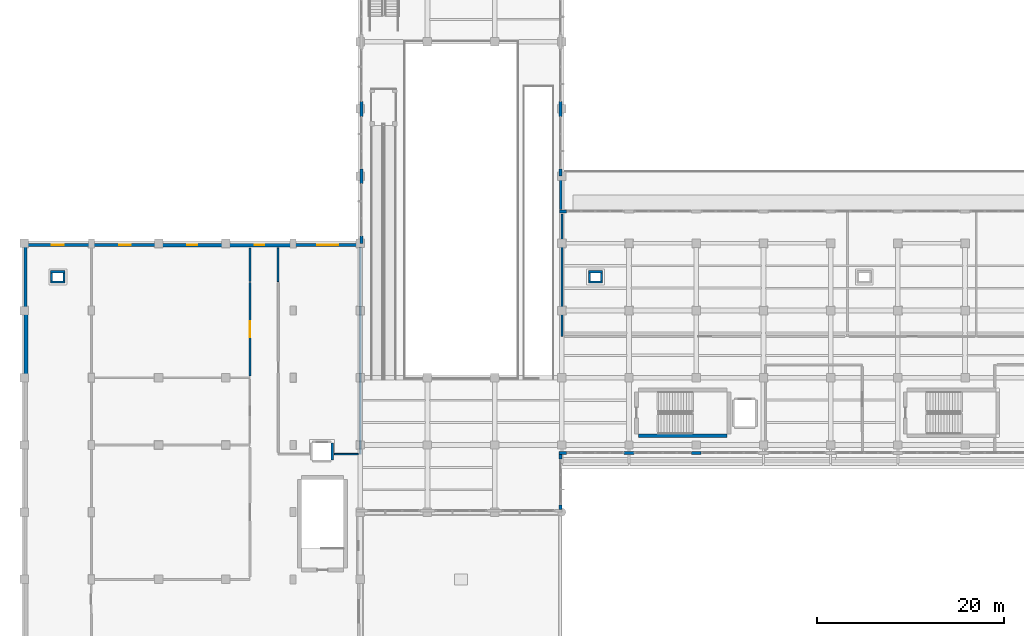
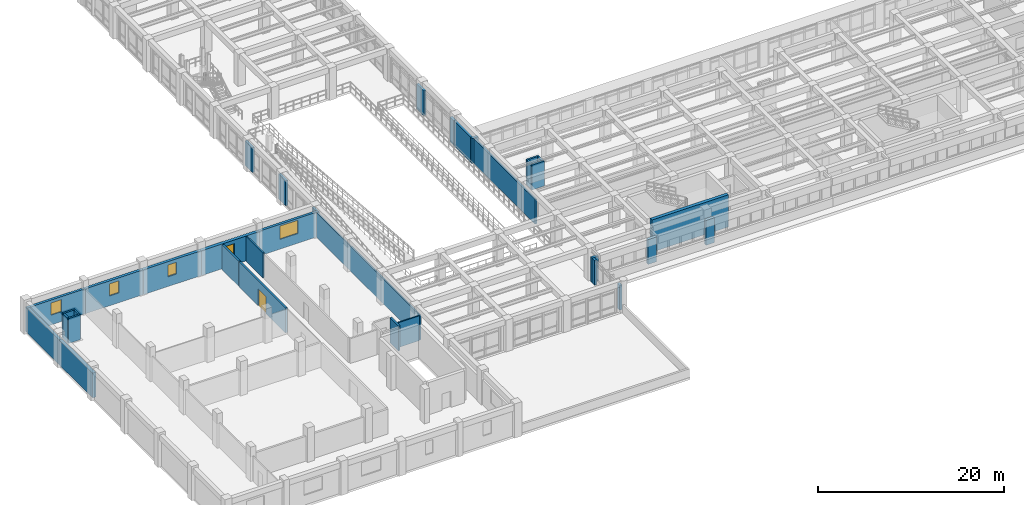
# One storey, part 49 of 69: 35 walls, 5 windows, 1 door, 6 openings.
"""IFC4 building model written with IfcOpenShell, lengths in metres."""

from ifc_helpers import new_model, si_unit, direction, frame, frame_2d, origin, place, context, subcontext, project, spatial, rectangle, extrude, material, layer, layer_set, type_object, element, fill, save


model = new_model("IFC4")

# Units and contexts
model_context = context("Model", 3, precision=1e-05, world=origin(), true_north=direction((0.0, 1.0)))
body_context = subcontext(model_context, "Body", "Model", "MODEL_VIEW")
ifc_project = project(units=[si_unit("LENGTHUNIT", "METRE"), si_unit("AREAUNIT", "SQUARE_METRE"), si_unit("VOLUMEUNIT", "CUBIC_METRE"), si_unit("PLANEANGLEUNIT", "RADIAN"), si_unit("MASSUNIT", "GRAM", prefix="KILO")], contexts=[model_context])

# Site, building, storey
site_placement = place(None, origin())
site = spatial("IfcSite", under=ifc_project, at=site_placement, CompositionType="ELEMENT")
building_placement = place(site_placement, origin())
building = spatial("IfcBuilding", under=site, at=building_placement, Name="Solenvale Faculty of Natural Sciences", CompositionType="ELEMENT")
storey_placement = place(building_placement, frame((0.0, 0.0, 4.5)))
storey = spatial("IfcBuildingStorey", under=building, at=storey_placement, Name="L01", CompositionType="ELEMENT", Elevation=4.5)

# Walls
ifc_material_1 = material(Name="Architectural bronze concrete 40 MPa", Category="concrete")
ifc_layer_1 = layer(ifc_material_1, 0.324951171875)
ifc_layer_set_1 = layer_set([ifc_layer_1], Name="Architectural bronze concrete 40 MPa")
wall_type_1 = type_object("IfcWallType", Name="WL-EXT-BRZ-325", PredefinedType="STANDARD", material=ifc_layer_set_1)
wall_1_placement = place(storey_placement, frame((57.31494140625, 20.762451171875, 0.0), z_axis=(0.0, 0.0, 1.0), x_axis=(1.0, 0.0, 0.0)))
element("IfcWall", 1, at=wall_1_placement, inside=storey, type_object=wall_type_1, Name="L01 Facade Closure Pier 5.B1-L", PredefinedType="STANDARD", context=body_context, shape_type="SweptSolid", body=[
    extrude(rectangle(XDim=0.802978515625, YDim=0.324951171875, at=frame_2d((0.4013671875, 0.0))), origin(), (0.0, 0.0, 1.0), 3.260009765625),
])
for number, where, z_axis, x_axis, name in (
    (2, (64.281982421875, 20.762451171875, 0.0), (0.0, 0.0, 1.0), (1.0, 0.0, 0.0), "L01 Facade Closure Pier 5.B1-R"),
    (3, (71.48193359375, 20.762451171875, 0.0), (0.0, 0.0, 1.0), (1.0, 0.0, 0.0), "L01 Facade Closure Pier 5.B2-R"),
):
    element("IfcWall", number, at=place(storey_placement, frame(where, z_axis=z_axis, x_axis=x_axis)), inside=storey, type_object=wall_type_1, Name=name, PredefinedType="STANDARD", context=body_context, shape_type="SweptSolid", body=[
        extrude(rectangle(XDim=1.0361328125, YDim=0.324951171875, at=frame_2d((0.51806640625, 0.0))), origin(), (0.0, 0.0, 1.0), 3.260009765625),
    ])
wall_2_placement = place(storey_placement, frame((58.117919921875, 46.637451171875, 0.0), z_axis=(0.0, 0.0, 1.0), x_axis=(-1.0, 0.0, 0.0)))
element("IfcWall", 4, at=wall_2_placement, inside=storey, type_object=wall_type_1, Name="L01 Facade Closure Pier 11.B8-R", PredefinedType="STANDARD", context=body_context, shape_type="SweptSolid", body=[
    extrude(rectangle(XDim=0.782958984375, YDim=0.324951171875, at=frame_2d((0.3916015625, 0.0))), origin(), (0.0, 0.0, 1.0), 3.260009765625),
])

# Wall, opening, window
ifc_material_2 = material(Name="Chazy limestone masonry", Category="masonry")
ifc_layer_2 = layer(ifc_material_2, 0.31494140625)
ifc_layer_set_2 = layer_set([ifc_layer_2], Name="Chazy limestone masonry")
wall_type_2 = type_object("IfcWallType", Name="WL-EXT-LIM-315", PredefinedType="STANDARD", material=ifc_layer_set_2)
wall_3_placement = place(storey_placement, frame((28.800048828125, 43.04248046875, 0.0), z_axis=(0.0, 0.0, 1.0), x_axis=(1.0, 0.0, 0.0)))
wall_3 = element("IfcWall", 5, at=wall_3_placement, inside=storey, type_object=wall_type_2, Name="L01 Exterior Wall 15.1", PredefinedType="STANDARD", context=body_context, shape_type="SweptSolid", body=[
    extrude(rectangle(XDim=7.48486328125, YDim=0.31494140625, at=frame_2d((3.742431640625, 0.0))), origin(), (0.0, 0.0, 1.0), 3.260009765625),
])
opening_1_placement = place(wall_3_placement, frame((2.616943359375, 0.0, 1.280029296875)))
opening_1 = element("IfcOpeningElement", 6, at=opening_1_placement, cuts=wall_3, Name="Opening WN-40", PredefinedType="OPENING", context=body_context, shape_type="SweptSolid", body=[
    extrude(rectangle(XDim=2.25, YDim=1.75, at=frame_2d((1.125, 0.875))), frame((0.0, 0.16748046875, 0.0), z_axis=(0.0, -1.0, 0.0), x_axis=(1.0, 0.0, 0.0)), (0.0, 0.0, 1.0), 0.3349609375),
])
ifc_material_3 = material(Name="Triple low-E insulated glass", Category="glass")
window_type_1 = type_object("IfcWindowType", Name="WN-2250x1750", PartitioningType="SINGLE_PANEL", PredefinedType="WINDOW", material=ifc_material_3)
window_1_placement = place(opening_1_placement, origin())
window_1 = element("IfcWindow", 7, at=window_1_placement, inside=storey, type_object=window_type_1, Name="L01 Window 15.1", OverallHeight=1.75, OverallWidth=2.25, PartitioningType="SINGLE_PANEL", PredefinedType="WINDOW", context=body_context, shape_type="SweptSolid", body=[
    extrude(rectangle(XDim=2.25, YDim=1.75, at=frame_2d((1.125, 0.875))), frame((0.0, 0.030029296875, 0.0), z_axis=(0.0, -1.0, 0.0), x_axis=(1.0, 0.0, 0.0)), (0.0, 0.0, 1.0), 0.06005859375),
])
fill(opening_1, window_1)

wall_4_placement = place(storey_placement, frame((0.0, 43.04248046875, 0.0), z_axis=(0.0, 0.0, 1.0), x_axis=(1.0, 0.0, 0.0)))
wall_4 = element("IfcWall", 8, at=wall_4_placement, inside=storey, type_object=wall_type_2, Name="L01 Exterior Wall 15.5", PredefinedType="STANDARD", context=body_context, shape_type="SweptSolid", body=[
    extrude(rectangle(XDim=7.199951171875, YDim=0.31494140625, at=frame_2d((3.60009765625, 0.0))), origin(), (0.0, 0.0, 1.0), 3.260009765625),
])
opening_2_placement = place(wall_4_placement, frame((2.949951171875, 0.0, 1.280029296875)))
opening_2 = element("IfcOpeningElement", 9, at=opening_2_placement, cuts=wall_4, Name="Opening WN-44", PredefinedType="OPENING", context=body_context, shape_type="SweptSolid", body=[
    extrude(rectangle(XDim=1.300048828125, YDim=1.60009765625, at=frame_2d((0.64990234375, 0.800048828125))), frame((0.0, 0.16748046875, 0.0), z_axis=(0.0, -1.0, 0.0), x_axis=(1.0, 0.0, 0.0)), (0.0, 0.0, 1.0), 0.3349609375),
])
window_type_2 = type_object("IfcWindowType", Name="WN-1300x1600", PartitioningType="SINGLE_PANEL", PredefinedType="WINDOW", material=ifc_material_3)
window_2_placement = place(opening_2_placement, origin())
window_2 = element("IfcWindow", 10, at=window_2_placement, inside=storey, type_object=window_type_2, Name="L01 Window 15.5", OverallHeight=1.60009765625, OverallWidth=1.300048828125, PartitioningType="SINGLE_PANEL", PredefinedType="WINDOW", context=body_context, shape_type="SweptSolid", body=[
    extrude(rectangle(XDim=1.300048828125, YDim=1.60009765625, at=frame_2d((0.64990234375, 0.800048828125))), frame((0.0, 0.030029296875, 0.0), z_axis=(0.0, -1.0, 0.0), x_axis=(1.0, 0.0, 0.0)), (0.0, 0.0, 1.0), 0.06005859375),
])
fill(opening_2, window_2)

# Wall
wall_5_placement = place(storey_placement, frame((0.157470703125, 36.0, 0.0), z_axis=(0.0, 0.0, 1.0), x_axis=(0.0, 1.0, 0.0)))
element("IfcWall", 11, at=wall_5_placement, inside=storey, type_object=wall_type_2, Name="L01 Exterior Wall 16.1", PredefinedType="STANDARD", context=body_context, shape_type="SweptSolid", body=[
    extrude(rectangle(XDim=6.885009765625, YDim=0.31494140625, at=frame_2d((3.4423828125, 0.0))), origin(), (0.0, 0.0, 1.0), 3.260009765625),
])

# Wall, opening, window
ifc_layer_3 = layer(ifc_material_2, 0.340087890625)
ifc_layer_set_3 = layer_set([ifc_layer_3], Name="Chazy limestone masonry")
wall_type_3 = type_object("IfcWallType", Name="WL-EXT-LIM-340", PredefinedType="STANDARD", material=ifc_layer_set_3)
wall_6_placement = place(storey_placement, frame((7.199951171875, 43.030029296875, 0.0), z_axis=(0.0, 0.0, 1.0), x_axis=(1.0, 0.0, 0.0)))
wall_6 = element("IfcWall", 12, at=wall_6_placement, inside=storey, type_object=wall_type_3, Name="L01 Exterior Wall 15.4", PredefinedType="STANDARD", context=body_context, shape_type="SweptSolid", body=[
    extrude(rectangle(XDim=7.199951171875, YDim=0.340087890625, at=frame_2d((3.60009765625, 0.0))), origin(), (0.0, 0.0, 1.0), 3.260009765625),
])
opening_3_placement = place(wall_6_placement, frame((3.0, 0.0, 1.280029296875)))
opening_3 = element("IfcOpeningElement", 13, at=opening_3_placement, cuts=wall_6, Name="Opening WN-43", PredefinedType="OPENING", context=body_context, shape_type="SweptSolid", body=[
    extrude(rectangle(XDim=1.199951171875, YDim=1.60009765625, at=frame_2d((0.60009765625, 0.800048828125))), frame((0.0, 0.179931640625, 0.0), z_axis=(0.0, -1.0, 0.0), x_axis=(1.0, 0.0, 0.0)), (0.0, 0.0, 1.0), 0.360107421875),
])
window_type_3 = type_object("IfcWindowType", Name="WN-1200x1600", PartitioningType="SINGLE_PANEL", PredefinedType="WINDOW", material=ifc_material_3)
window_3_placement = place(opening_3_placement, origin())
window_3 = element("IfcWindow", 14, at=window_3_placement, inside=storey, type_object=window_type_3, Name="L01 Window 15.4", OverallHeight=1.60009765625, OverallWidth=1.199951171875, PartitioningType="SINGLE_PANEL", PredefinedType="WINDOW", context=body_context, shape_type="SweptSolid", body=[
    extrude(rectangle(XDim=1.199951171875, YDim=1.60009765625, at=frame_2d((0.60009765625, 0.800048828125))), frame((0.0, 0.030029296875, 0.0), z_axis=(0.0, -1.0, 0.0), x_axis=(1.0, 0.0, 0.0)), (0.0, 0.0, 1.0), 0.06005859375),
])
fill(opening_3, window_3)

ifc_layer_4 = layer(ifc_material_2, 0.364990234375)
ifc_layer_set_4 = layer_set([ifc_layer_4], Name="Chazy limestone masonry")
wall_type_4 = type_object("IfcWallType", Name="WL-EXT-LIM-365", PredefinedType="STANDARD", material=ifc_layer_set_4)
wall_7_placement = place(storey_placement, frame((14.39990234375, 43.017578125, 0.0), z_axis=(0.0, 0.0, 1.0), x_axis=(1.0, 0.0, 0.0)))
wall_7 = element("IfcWall", 15, at=wall_7_placement, inside=storey, type_object=wall_type_4, Name="L01 Exterior Wall 15.3", PredefinedType="STANDARD", context=body_context, shape_type="SweptSolid", body=[
    extrude(rectangle(XDim=7.2001953125, YDim=0.364990234375, at=frame_2d((3.60009765625, 0.0))), origin(), (0.0, 0.0, 1.0), 3.260009765625),
])
opening_4_placement = place(wall_7_placement, frame((3.050048828125, 0.0, 1.280029296875)))
opening_4 = element("IfcOpeningElement", 16, at=opening_4_placement, cuts=wall_7, Name="Opening WN-42", PredefinedType="OPENING", context=body_context, shape_type="SweptSolid", body=[
    extrude(rectangle(XDim=1.10009765625, YDim=1.550048828125, at=frame_2d((0.550048828125, 0.77490234375))), frame((0.0, 0.1923828125, 0.0), z_axis=(0.0, -1.0, 0.0), x_axis=(1.0, 0.0, 0.0)), (0.0, 0.0, 1.0), 0.385009765625),
])
window_type_4 = type_object("IfcWindowType", Name="WN-1100x1550", PartitioningType="SINGLE_PANEL", PredefinedType="WINDOW", material=ifc_material_3)
window_4_placement = place(opening_4_placement, origin())
window_4 = element("IfcWindow", 17, at=window_4_placement, inside=storey, type_object=window_type_4, Name="L01 Window 15.3", OverallHeight=1.550048828125, OverallWidth=1.10009765625, PartitioningType="SINGLE_PANEL", PredefinedType="WINDOW", context=body_context, shape_type="SweptSolid", body=[
    extrude(rectangle(XDim=1.10009765625, YDim=1.550048828125, at=frame_2d((0.550048828125, 0.77490234375))), frame((0.0, 0.030029296875, 0.0), z_axis=(0.0, -1.0, 0.0), x_axis=(1.0, 0.0, 0.0)), (0.0, 0.0, 1.0), 0.06005859375),
])
fill(opening_4, window_4)

ifc_layer_5 = layer(ifc_material_2, 0.389892578125)
ifc_layer_set_5 = layer_set([ifc_layer_5], Name="Chazy limestone masonry")
wall_type_5 = type_object("IfcWallType", Name="WL-EXT-LIM-390", PredefinedType="STANDARD", material=ifc_layer_set_5)
wall_8_placement = place(storey_placement, frame((21.60009765625, 43.0048828125, 0.0), z_axis=(0.0, 0.0, 1.0), x_axis=(1.0, 0.0, 0.0)))
wall_8 = element("IfcWall", 18, at=wall_8_placement, inside=storey, type_object=wall_type_5, Name="L01 Exterior Wall 15.2", PredefinedType="STANDARD", context=body_context, shape_type="SweptSolid", body=[
    extrude(rectangle(XDim=7.199951171875, YDim=0.389892578125, at=frame_2d((3.60009765625, 0.0))), origin(), (0.0, 0.0, 1.0), 3.260009765625),
])
opening_5_placement = place(wall_8_placement, frame((3.10009765625, 0.0, 1.280029296875)))
opening_5 = element("IfcOpeningElement", 19, at=opening_5_placement, cuts=wall_8, Name="Opening WN-41", PredefinedType="OPENING", context=body_context, shape_type="SweptSolid", body=[
    extrude(rectangle(XDim=1.0, YDim=1.5, at=frame_2d((0.5, 0.75))), frame((0.0, 0.204833984375, 0.0), z_axis=(0.0, -1.0, 0.0), x_axis=(1.0, 0.0, 0.0)), (0.0, 0.0, 1.0), 0.409912109375),
])
window_type_5 = type_object("IfcWindowType", Name="WN-1000x1500", PartitioningType="SINGLE_PANEL", PredefinedType="WINDOW", material=ifc_material_3)
window_5_placement = place(opening_5_placement, origin())
window_5 = element("IfcWindow", 20, at=window_5_placement, inside=storey, type_object=window_type_5, Name="L01 Window 15.2", OverallHeight=1.5, OverallWidth=1.0, PartitioningType="SINGLE_PANEL", PredefinedType="WINDOW", context=body_context, shape_type="SweptSolid", body=[
    extrude(rectangle(XDim=1.0, YDim=1.5, at=frame_2d((0.5, 0.75))), frame((0.0, 0.030029296875, 0.0), z_axis=(0.0, -1.0, 0.0), x_axis=(1.0, 0.0, 0.0)), (0.0, 0.0, 1.0), 0.06005859375),
])
fill(opening_5, window_5)

# Walls
wall_9_placement = place(storey_placement, frame((0.195068359375, 28.800048828125, 0.0), z_axis=(0.0, 0.0, 1.0), x_axis=(0.0, 1.0, 0.0)))
element("IfcWall", 21, at=wall_9_placement, inside=storey, type_object=wall_type_5, Name="L01 Exterior Wall 16.2", PredefinedType="STANDARD", context=body_context, shape_type="SweptSolid", body=[
    extrude(rectangle(XDim=7.199951171875, YDim=0.389892578125, at=frame_2d((3.60009765625, 0.0))), origin(), (0.0, 0.0, 1.0), 3.260009765625),
])
ifc_material_4 = material(Name="Precast concrete 40 MPa", Category="concrete")
ifc_layer_6 = layer(ifc_material_4, 0.264892578125)
ifc_layer_set_6 = layer_set([ifc_layer_6], Name="Precast concrete 40 MPa")
wall_type_6 = type_object("IfcWallType", Name="WL-EXT-PRC-265", PredefinedType="STANDARD", material=ifc_layer_set_6)
wall_10_placement = place(storey_placement, frame((57.467529296875, 50.39990234375, 0.0), z_axis=(0.0, 0.0, 1.0), x_axis=(0.0, -1.0, 0.0)))
element("IfcWall", 22, at=wall_10_placement, inside=storey, type_object=wall_type_6, Name="L01 Exterior Wall 12.1", PredefinedType="STANDARD", context=body_context, shape_type="SweptSolid", body=[
    extrude(rectangle(XDim=3.599853515625, YDim=0.264892578125, at=frame_2d((1.7998046875, 0.0))), origin(), (0.0, 0.0, 1.0), 3.260009765625),
])
ifc_layer_7 = layer(ifc_material_4, 0.284912109375)
ifc_layer_set_7 = layer_set([ifc_layer_7], Name="Precast concrete 40 MPa")
wall_type_7 = type_object("IfcWallType", Name="WL-EXT-PRC-285", PredefinedType="STANDARD", material=ifc_layer_set_7)
wall_11_placement = place(storey_placement, frame((57.45751953125, 14.68505859375, 0.0), z_axis=(0.0, 0.0, 1.0), x_axis=(0.0, 1.0, 0.0)))
element("IfcWall", 23, at=wall_11_placement, inside=storey, type_object=wall_type_7, Name="L01 Facade Closure Pier 4.B1-L", PredefinedType="STANDARD", context=body_context, shape_type="SweptSolid", body=[
    extrude(rectangle(XDim=0.5029296875, YDim=0.284912109375, at=frame_2d((0.25146484375, 0.0))), origin(), (0.0, 0.0, 1.0), 3.260009765625),
])
wall_12_placement = place(storey_placement, frame((57.45751953125, 20.08203125, 0.0), z_axis=(0.0, 0.0, 1.0), x_axis=(0.0, 1.0, 0.0)))
element("IfcWall", 24, at=wall_12_placement, inside=storey, type_object=wall_type_7, Name="L01 Facade Closure Pier 4.B1-R", PredefinedType="STANDARD", context=body_context, shape_type="SweptSolid", body=[
    extrude(rectangle(XDim=0.51806640625, YDim=0.284912109375, at=frame_2d((0.259033203125, 0.0))), origin(), (0.0, 0.0, 1.0), 3.260009765625),
])
wall_13_placement = place(storey_placement, frame((57.45751953125, 50.39990234375, 0.0), z_axis=(0.0, 0.0, 1.0), x_axis=(0.0, 1.0, 0.0)))
element("IfcWall", 25, at=wall_13_placement, inside=storey, type_object=wall_type_7, Name="L01 Facade Closure Pier 12.B2-L", PredefinedType="STANDARD", context=body_context, shape_type="SweptSolid", body=[
    extrude(rectangle(XDim=0.7880859375, YDim=0.284912109375, at=frame_2d((0.39404296875, 0.0))), origin(), (0.0, 0.0, 1.0), 3.260009765625),
])
for number, where, z_axis, x_axis, name in (
    (26, (57.45751953125, 56.81201171875, 0.0), (0.0, 0.0, 1.0), (0.0, 1.0, 0.0), "L01 Facade Closure Pier 12.B2-R"),
    (27, (36.142578125, 58.387939453125, 0.0), (0.0, 0.0, 1.0), (0.0, -1.0, 0.0), "L01 Facade Closure Pier 14.B5-R"),
    (28, (36.142578125, 51.18798828125, 0.0), (0.0, 0.0, 1.0), (0.0, -1.0, 0.0), "L01 Facade Closure Pier 14.B6-R"),
):
    element("IfcWall", number, at=place(storey_placement, frame(where, z_axis=z_axis, x_axis=x_axis)), inside=storey, type_object=wall_type_7, Name=name, PredefinedType="STANDARD", context=body_context, shape_type="SweptSolid", body=[
        extrude(rectangle(XDim=1.575927734375, YDim=0.284912109375, at=frame_2d((0.7880859375, 0.0))), origin(), (0.0, 0.0, 1.0), 3.260009765625),
    ])
wall_14_placement = place(storey_placement, frame((36.142578125, 43.988037109375, 0.0), z_axis=(0.0, 0.0, 1.0), x_axis=(0.0, -1.0, 0.0)))
element("IfcWall", 29, at=wall_14_placement, inside=storey, type_object=wall_type_7, Name="L01 Facade Closure Pier 14.B7-R", PredefinedType="STANDARD", context=body_context, shape_type="SweptSolid", body=[
    extrude(rectangle(XDim=0.7880859375, YDim=0.284912109375, at=frame_2d((0.39404296875, 0.0))), origin(), (0.0, 0.0, 1.0), 3.260009765625),
])

# Wall, opening, door
ifc_material_5 = material(Name="High-STC auditorium acoustic wall")
ifc_layer_8 = layer(ifc_material_5, 0.235107421875)
ifc_layer_set_8 = layer_set([ifc_layer_8], Name="High-STC auditorium acoustic wall")
wall_type_8 = type_object("IfcWallType", Name="WL-HALL-235", PredefinedType="PARTITIONING", material=ifc_layer_set_8)
wall_15_placement = place(storey_placement, frame((24.179931640625, 39.0, 0.0), z_axis=(0.0, 0.0, 1.0), x_axis=(0.0, -1.0, 0.0)))
wall_15 = element("IfcWall", 30, at=wall_15_placement, inside=storey, type_object=wall_type_8, Name="L01 Lecture Theatre Partition 16", PredefinedType="PARTITIONING", context=body_context, shape_type="SweptSolid", body=[
    extrude(rectangle(XDim=10.008056640625, YDim=0.235107421875, at=frame_2d((5.00390625, 0.0))), origin(), (0.0, 0.0, 1.0), 3.260009765625),
])
opening_6_placement = place(wall_15_placement, frame((4.12890625, 0.0, 0.0)))
opening_6 = element("IfcOpeningElement", 31, at=opening_6_placement, cuts=wall_15, Name="Opening D-L01-07", PredefinedType="OPENING", context=body_context, shape_type="SweptSolid", body=[
    extrude(rectangle(XDim=1.75, YDim=2.25, at=frame_2d((0.875, 1.125))), frame((0.0, 0.12744140625, 0.0), z_axis=(0.0, -1.0, 0.0), x_axis=(1.0, 0.0, 0.0)), (0.0, 0.0, 1.0), 0.255126953125),
])
ifc_material_6 = material(Name="Oak acoustic timber leaf", Category="wood")
door_type = type_object("IfcDoorType", Name="DR-HALL-1750x2250", OperationType="NOTDEFINED", PredefinedType="DOOR", material=ifc_material_6)
door_placement = place(opening_6_placement, origin())
door = element("IfcDoor", 32, at=door_placement, inside=storey, type_object=door_type, Name="L01 Lecture Theatre Door", OperationType="SINGLE_SWING_RIGHT", OverallHeight=2.25, OverallWidth=1.75, PredefinedType="DOOR", context=body_context, shape_type="SweptSolid", body=[
    extrude(rectangle(XDim=1.75, YDim=2.25, at=frame_2d((0.875, 1.125))), frame((0.0, 0.02490234375, 0.0), z_axis=(0.0, -1.0, 0.0), x_axis=(1.0, 0.0, 0.0)), (0.0, 0.0, 1.0), 0.050048828125),
])
fill(opening_6, door)

# Walls
wall_16_placement = place(storey_placement, frame((24.199951171875, 42.680908203125, 0.0), z_axis=(0.0, 0.0, 1.0), x_axis=(0.0, -1.0, 0.0)))
element("IfcWall", 33, at=wall_16_placement, inside=storey, type_object=wall_type_8, Name="L01 Lecture Theatre Partition 20", PredefinedType="PARTITIONING", context=body_context, shape_type="SweptSolid", body=[
    extrude(rectangle(XDim=3.551025390625, YDim=0.235107421875, at=frame_2d((1.775390625, 0.0))), origin(), (0.0, 0.0, 1.0), 3.260009765625),
])
ifc_material_7 = material(Name="Gypsum fire-rated laboratory partition")
ifc_layer_9 = layer(ifc_material_7, 0.22802734375)
ifc_layer_set_9 = layer_set([ifc_layer_9], Name="Gypsum fire-rated laboratory partition")
wall_type_9 = type_object("IfcWallType", Name="WL-LAB-228", PredefinedType="PARTITIONING", material=ifc_layer_set_9)
wall_17_placement = place(storey_placement, frame((57.6201171875, 33.219970703125, 0.0), z_axis=(0.0, 0.0, 1.0), x_axis=(0.0, 1.0, 0.0)))
element("IfcWall", 34, at=wall_17_placement, inside=storey, type_object=wall_type_9, Name="L01 Microbiology Teaching Laboratory Partition 1", PredefinedType="PARTITIONING", context=body_context, shape_type="SweptSolid", body=[
    extrude(rectangle(XDim=13.129150390625, YDim=0.22802734375, at=frame_2d((6.564453125, 0.0))), origin(), (0.0, 0.0, 1.0), 3.260009765625),
])
ifc_material_8 = material(Name="Acoustic double-stud gypsum partition")
ifc_layer_10 = layer(ifc_material_8, 0.179931640625)
ifc_layer_set_10 = layer_set([ifc_layer_10], Name="Acoustic double-stud gypsum partition")
wall_type_10 = type_object("IfcWallType", Name="WL-SEM-180", PredefinedType="PARTITIONING", material=ifc_layer_set_10)
wall_18_placement = place(storey_placement, frame((27.199951171875, 39.10205078125, 0.0), z_axis=(0.0, 0.0, 1.0), x_axis=(0.0, 1.0, 0.0)))
element("IfcWall", 35, at=wall_18_placement, inside=storey, type_object=wall_type_10, Name="L01 Seminar Room Partition 54", PredefinedType="PARTITIONING", context=body_context, shape_type="SweptSolid", body=[
    extrude(rectangle(XDim=3.60595703125, YDim=0.179931640625, at=frame_2d((1.802978515625, 0.0))), origin(), (0.0, 0.0, 1.0), 3.260009765625),
])
wall_19_placement = place(storey_placement, frame((36.0, 42.782958984375, 0.0), z_axis=(0.0, 0.0, 1.0), x_axis=(0.0, -1.0, 0.0)))
element("IfcWall", 36, at=wall_19_placement, inside=storey, type_object=wall_type_10, Name="L01 Seminar Room Partition 56", PredefinedType="PARTITIONING", context=body_context, shape_type="SweptSolid", body=[
    extrude(rectangle(XDim=22.162841796875, YDim=0.179931640625, at=frame_2d((11.08154296875, 0.0))), origin(), (0.0, 0.0, 1.0), 3.260009765625),
])
wall_20_placement = place(storey_placement, frame((35.80810546875, 20.6201171875, 0.0), z_axis=(0.0, 0.0, 1.0), x_axis=(-1.0, 0.0, 0.0)))
element("IfcWall", 37, at=wall_20_placement, inside=storey, type_object=wall_type_10, Name="L01 Seminar Room Partition 57", PredefinedType="PARTITIONING", context=body_context, shape_type="SweptSolid", body=[
    extrude(rectangle(XDim=2.5830078125, YDim=0.179931640625, at=frame_2d((1.29150390625, 0.0))), origin(), (0.0, 0.0, 1.0), 3.260009765625),
])
ifc_material_9 = material(Name="Concrete 40 MPa", Category="concrete")
ifc_layer_11 = layer(ifc_material_9, 0.219970703125)
ifc_layer_set_11 = layer_set([ifc_layer_11], Name="Concrete 40 MPa")
wall_type_11 = type_object("IfcWallType", Name="WL-SHF-220", PredefinedType="STANDARD", material=ifc_layer_set_11)
wall_21_placement = place(storey_placement, frame((33.0048828125, 19.97998046875, 0.0), z_axis=(0.0, 0.0, 1.0), x_axis=(0.0, 1.0, 0.0)))
element("IfcWall", 38, at=wall_21_placement, inside=storey, type_object=wall_type_11, Name="Elevator LP-01 L01 Shaft Wall E", PredefinedType="STANDARD", context=body_context, shape_type="SweptSolid", body=[
    extrude(rectangle(XDim=1.840087890625, YDim=0.219970703125, at=frame_2d((0.919921875, 0.0))), origin(), (0.0, 0.0, 1.0), 3.260009765625),
])
for number, where, z_axis, x_axis, name in (
    (39, (2.830078125, 39.0400390625, 0.0), (0.0, 0.0, 1.0), (1.0, 0.0, 0.0), "L01 Service Riser Shaft 1 Wall S"),
    (40, (2.830078125, 40.159912109375, 0.0), (0.0, 0.0, 1.0), (1.0, 0.0, 0.0), "L01 Service Riser Shaft 1 Wall N"),
):
    element("IfcWall", number, at=place(storey_placement, frame(where, z_axis=z_axis, x_axis=x_axis)), inside=storey, type_object=wall_type_11, Name=name, PredefinedType="STANDARD", context=body_context, shape_type="SweptSolid", body=[
        extrude(rectangle(XDim=1.5400390625, YDim=0.219970703125, at=frame_2d((0.77001953125, 0.0))), origin(), (0.0, 0.0, 1.0), 3.260009765625),
    ])
for number, where, z_axis, x_axis, name in (
    (41, (2.93994140625, 39.14990234375, 0.0), (0.0, 0.0, 1.0), (0.0, 1.0, 0.0), "L01 Service Riser Shaft 1 Wall W"),
    (42, (4.260009765625, 39.14990234375, 0.0), (0.0, 0.0, 1.0), (0.0, 1.0, 0.0), "L01 Service Riser Shaft 1 Wall E"),
):
    element("IfcWall", number, at=place(storey_placement, frame(where, z_axis=z_axis, x_axis=x_axis)), inside=storey, type_object=wall_type_11, Name=name, PredefinedType="STANDARD", context=body_context, shape_type="SweptSolid", body=[
        extrude(rectangle(XDim=0.900146484375, YDim=0.219970703125, at=frame_2d((0.4501953125, 0.0))), origin(), (0.0, 0.0, 1.0), 3.260009765625),
    ])
for number, where, z_axis, x_axis, name in (
    (43, (60.429931640625, 39.0400390625, 0.0), (0.0, 0.0, 1.0), (1.0, 0.0, 0.0), "L01 Service Riser Shaft 3 Wall S"),
    (44, (60.429931640625, 40.159912109375, 0.0), (0.0, 0.0, 1.0), (1.0, 0.0, 0.0), "L01 Service Riser Shaft 3 Wall N"),
):
    element("IfcWall", number, at=place(storey_placement, frame(where, z_axis=z_axis, x_axis=x_axis)), inside=storey, type_object=wall_type_11, Name=name, PredefinedType="STANDARD", context=body_context, shape_type="SweptSolid", body=[
        extrude(rectangle(XDim=1.5400390625, YDim=0.219970703125, at=frame_2d((0.77001953125, 0.0))), origin(), (0.0, 0.0, 1.0), 3.260009765625),
    ])
for number, where, z_axis, x_axis, name in (
    (45, (60.5400390625, 39.14990234375, 0.0), (0.0, 0.0, 1.0), (0.0, 1.0, 0.0), "L01 Service Riser Shaft 3 Wall W"),
    (46, (61.860107421875, 39.14990234375, 0.0), (0.0, 0.0, 1.0), (0.0, 1.0, 0.0), "L01 Service Riser Shaft 3 Wall E"),
):
    element("IfcWall", number, at=place(storey_placement, frame(where, z_axis=z_axis, x_axis=x_axis)), inside=storey, type_object=wall_type_11, Name=name, PredefinedType="STANDARD", context=body_context, shape_type="SweptSolid", body=[
        extrude(rectangle(XDim=0.900146484375, YDim=0.219970703125, at=frame_2d((0.4501953125, 0.0))), origin(), (0.0, 0.0, 1.0), 3.260009765625),
    ])
ifc_material_10 = material(Name="Concrete 50 MPa", Category="concrete")
ifc_layer_12 = layer(ifc_material_10, 0.409912109375)
ifc_layer_set_12 = layer_set([ifc_layer_12], Name="Concrete 50 MPa")
wall_type_12 = type_object("IfcWallType", Name="WL-SHR-410", PredefinedType="SHEAR", material=ifc_layer_set_12)
wall_22_placement = place(storey_placement, frame((65.800048828125, 22.594970703125, 0.0), z_axis=(0.0, 0.0, 1.0), x_axis=(1.0, 0.0, 0.0)))
element("IfcWall", 47, at=wall_22_placement, inside=storey, type_object=wall_type_12, Name="Core C3 L01 Shear Wall S", PredefinedType="SHEAR", context=body_context, shape_type="SweptSolid", body=[
    extrude(rectangle(XDim=9.5, YDim=0.409912109375, at=frame_2d((4.75, 0.0))), origin(), (0.0, 0.0, 1.0), 4.219970703125),
])

save(model, "model.ifc")
